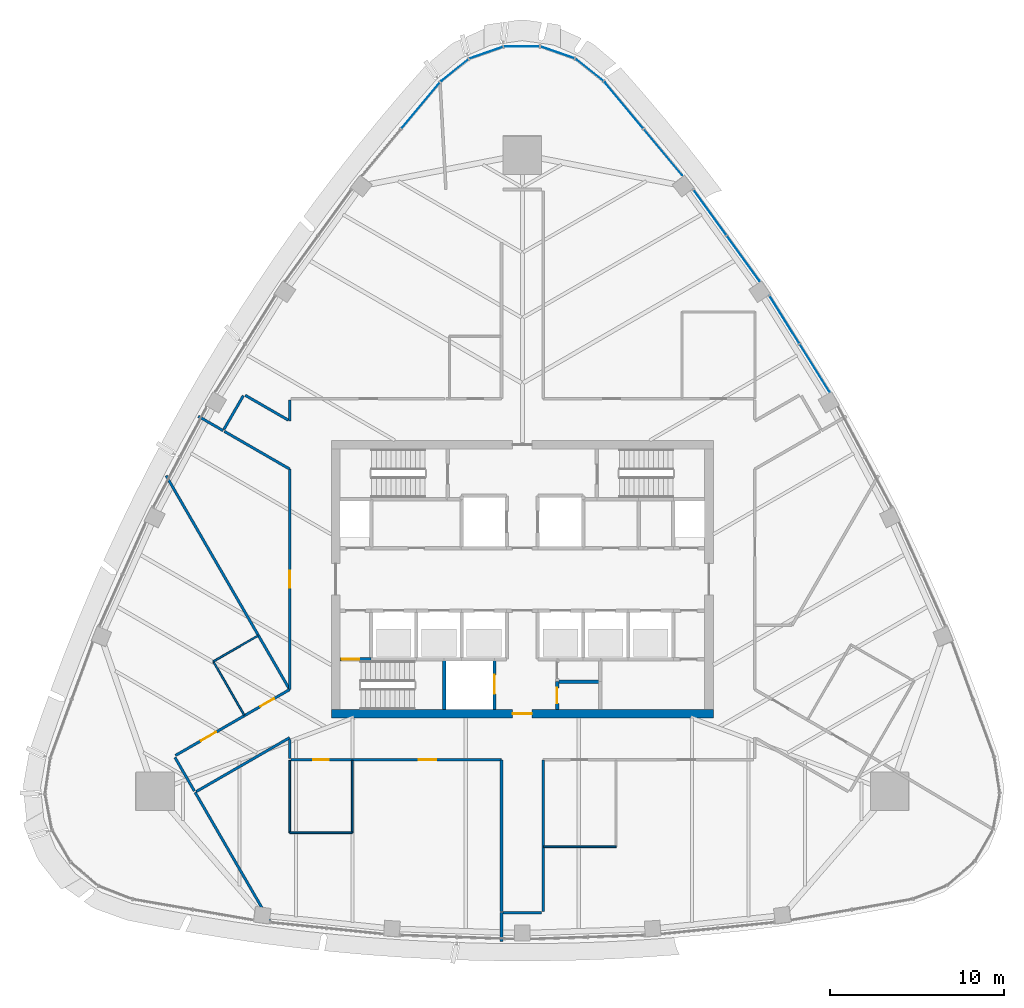
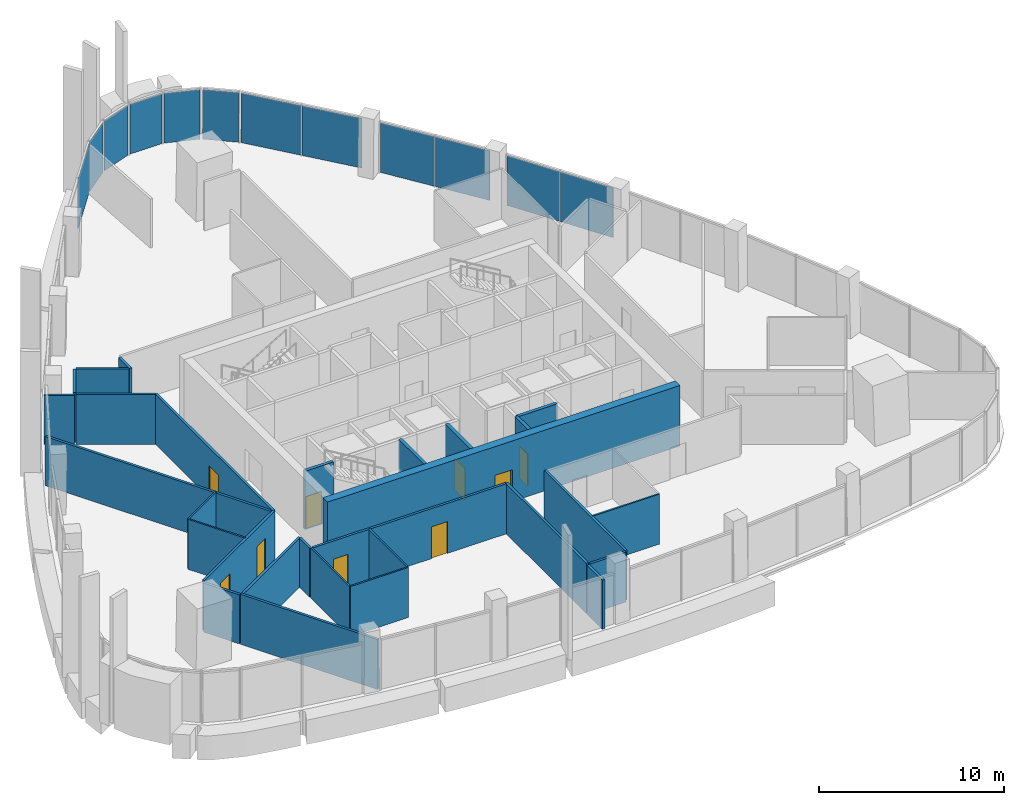
# One storey, part 8 of 16: 29 walls, 12 plates, 9 doors, 9 openings, 9 elements without a shape of their own.
"""IFC4 building model written with IfcOpenShell, lengths in metres."""

import ifcopenshell
import ifcopenshell.guid

model = None  # the IFC model being written
_history = None  # IfcOwnerHistory: only IFC2X3 demands one
_inside = {}  # id of a spatial element -> (the spatial element, [elements in it])
_under = {}  # id of a project, library or spatial element -> (it, [spatial elements below it])
_declared = {}  # id of a project -> (the project, [libraries it declares])
_typed = {}  # id of a type object -> (the type object, [elements of that type])
_made_of = {}  # id of a material, layer set ... -> (it, [elements and type objects made of it])


def new_model(schema):
    """Start an empty IFC model of exactly this schema.

    Asked for "IFC4X3", IfcOpenShell would pick the latest addendum, in which some entities
    have other attributes; the version numbers below select the first issue.
    IFC2X3 requires an IfcOwnerHistory on every rooted entity: one is made here for all.
    """
    global model, _history
    if schema == "IFC4X3":
        model = ifcopenshell.file(schema_version=(4, 3, 0, 0))
    else:
        model = ifcopenshell.file(schema=schema)
    _inside.clear()
    _under.clear()
    _declared.clear()
    _typed.clear()
    _made_of.clear()
    _history = None
    if model.schema == "IFC2X3":
        org = make("IfcOrganization", Name="unknown")
        user = make(
            "IfcPersonAndOrganization",
            ThePerson=make("IfcPerson", FamilyName="unknown"),
            TheOrganization=org,
        )
        app = make(
            "IfcApplication",
            ApplicationDeveloper=org,
            Version="unknown",
            ApplicationFullName="unknown",
            ApplicationIdentifier="unknown",
        )
        _history = make(
            "IfcOwnerHistory",
            OwningUser=user,
            OwningApplication=app,
            ChangeAction="ADDED",
            CreationDate=0,
        )
    return model


def make(cls, **values):
    """One entity of the class cls with the attributes given. An attribute that is None is left unset."""
    return model.create_entity(
        cls, **{name: value for name, value in values.items() if value is not None}
    )


def rooted(cls, **values):
    """An entity with a GlobalId (a new one), such as an element, a storey or a relation."""
    return make(cls, GlobalId=ifcopenshell.guid.new(), OwnerHistory=_history, **values)


def si_unit(unit_type, name, prefix=None):
    """IfcSIUnit, for example si_unit("LENGTHUNIT", "METRE", prefix="MILLI")."""
    return make("IfcSIUnit", UnitType=unit_type, Prefix=prefix, Name=name)


def assignment(units):
    """IfcUnitAssignment: the units of a project."""
    return None if units is None else make("IfcUnitAssignment", Units=units)


def point(xyz):
    """IfcCartesianPoint."""
    return None if xyz is None else make("IfcCartesianPoint", Coordinates=xyz)


def direction(xyz):
    """IfcDirection."""
    return None if xyz is None else make("IfcDirection", DirectionRatios=xyz)


def frame(location, z_axis=None, x_axis=None):
    """IfcAxis2Placement3D, a coordinate frame: its origin and axes. An axis left out is left unset."""
    return make(
        "IfcAxis2Placement3D",
        Location=point(location),
        Axis=direction(z_axis),
        RefDirection=direction(x_axis),
    )


def frame_2d(location, x_axis=None):
    """IfcAxis2Placement2D, a coordinate frame in the plane: its origin and x axis."""
    return make(
        "IfcAxis2Placement2D", Location=point(location), RefDirection=direction(x_axis)
    )


def origin():
    """The frame at (0, 0, 0) with its axes left unset."""
    return frame((0.0, 0.0, 0.0))


def origin_2d():
    """The frame at (0, 0) in the plane with its x axis left unset."""
    return frame_2d((0.0, 0.0))


def place(relative_to, where):
    """IfcLocalPlacement: puts the frame where relative to a parent placement (None: the world)."""
    return make(
        "IfcLocalPlacement", PlacementRelTo=relative_to, RelativePlacement=where
    )


def context(
    kind, dimensions, precision=None, world=None, true_north=None, identifier=None
):
    """IfcGeometricRepresentationContext, for example the 3D "Model" context."""
    return make(
        "IfcGeometricRepresentationContext",
        ContextIdentifier=identifier,
        ContextType=kind,
        CoordinateSpaceDimension=dimensions,
        Precision=precision,
        WorldCoordinateSystem=world,
        TrueNorth=true_north,
    )


def subcontext(parent, identifier, kind, view, scale=None):
    """IfcGeometricRepresentationSubContext, for example "Body" below "Model"."""
    return make(
        "IfcGeometricRepresentationSubContext",
        ContextIdentifier=identifier,
        ContextType=kind,
        ParentContext=parent,
        TargetScale=scale,
        TargetView=view,
    )


def project(units=None, contexts=None):
    """IfcProject with its units and contexts."""
    return rooted(
        "IfcProject",
        Name="project",
        RepresentationContexts=contexts,
        UnitsInContext=assignment(units),
    )


def spatial(cls, under=None, at=None, **own):
    """A site, building, storey or space (cls), placed at a placement, below another one or the project."""
    s = rooted(cls, ObjectPlacement=at, **own)
    if under is not None:
        _under.setdefault(under.id(), (under, []))[1].append(s)
    return s


def profile(cls, at=None, kind="AREA", **sizes):
    """A parametric profile (cls). Its sizes go by their IFC names, for example OverallWidth=200.0."""
    return make(cls, ProfileType=kind, Position=at, **sizes)


def rectangle(**sizes):
    """IfcRectangleProfileDef."""
    return profile("IfcRectangleProfileDef", **sizes)


def extrude(swept, where, along, depth):
    """IfcExtrudedAreaSolid: the profile swept, set in the frame where, extruded along a direction by depth."""
    return make(
        "IfcExtrudedAreaSolid",
        SweptArea=swept,
        Position=where,
        ExtrudedDirection=direction(along),
        Depth=depth,
    )


def shape(context_of_items, identifier, shape_type, items):
    """IfcShapeRepresentation: the items that make up one representation, for example the "Body"."""
    return make(
        "IfcShapeRepresentation",
        ContextOfItems=context_of_items,
        RepresentationIdentifier=identifier,
        RepresentationType=shape_type,
        Items=items,
    )


def material(Name=None, Category=None):
    """IfcMaterial."""
    return make("IfcMaterial", Name=Name, Category=Category)


def layer(
    of_material, thickness, ventilated=None, Name=None, Category=None, Priority=None
):
    """IfcMaterialLayer: one layer of a wall or slab, of a material (None: an air gap)."""
    return make(
        "IfcMaterialLayer",
        Material=of_material,
        LayerThickness=thickness,
        IsVentilated=ventilated,
        Name=Name,
        Category=Category,
        Priority=Priority,
    )


def layer_set(layers, Name=None):
    """IfcMaterialLayerSet."""
    return make("IfcMaterialLayerSet", MaterialLayers=layers, LayerSetName=Name)


def made_of(thing, what):
    """Note that an element or type object is made of a material, layer set ...; save() writes the relation."""
    if what is not None:
        _made_of.setdefault(what.id(), (what, []))[1].append(thing)
    return thing


def type_object(cls, material=None, **own):
    """A type object (cls), such as IfcWallType, which elements share."""
    return made_of(rooted(cls, **own), material)


def element(
    cls,
    number,
    at=None,
    inside=None,
    cuts=None,
    type_object=None,
    material=None,
    context=None,
    identifier="Body",
    shape_type=None,
    held_by="IfcProductDefinitionShape",
    body=None,
    shapes=None,
    **own,
):
    """One element of the class cls, such as IfcWall. Its Tag is "e" and its number.

    at: its placement. inside: the storey or other place that contains it. cuts: it is an
    opening in that element (IfcRelVoidsElement). A single representation is given by context,
    identifier, shape_type and body (its items); several are given by shapes. held_by: the class
    of the entity that holds the representations. save() writes the other relations.
    """
    e = rooted(cls, Tag="e%d" % number, ObjectPlacement=at, **own)
    if body is not None:
        shapes = [shape(context, identifier, shape_type, body)]
    if shapes is not None:
        e.Representation = make(held_by, Representations=shapes)
    if inside is not None:
        _inside.setdefault(inside.id(), (inside, []))[1].append(e)
    if cuts is not None:
        rooted(
            "IfcRelVoidsElement", RelatingBuildingElement=cuts, RelatedOpeningElement=e
        )
    if type_object is not None:
        _typed.setdefault(type_object.id(), (type_object, []))[1].append(e)
    return made_of(e, material)


def fill(opening, filler):
    """IfcRelFillsElement: the door or window that sits in an opening."""
    return rooted(
        "IfcRelFillsElement",
        RelatingOpeningElement=opening,
        RelatedBuildingElement=filler,
    )


def aggregate(whole, parts):
    """IfcRelAggregates: a whole, such as a stair, and the parts it consists of."""
    return rooted("IfcRelAggregates", RelatingObject=whole, RelatedObjects=parts)


def save(model, path):
    """Write the relations noted so far, then the file.

    IfcRelAggregates (storeys below a building ...), IfcRelContainedInSpatialStructure (elements
    in a storey), IfcRelDefinesByType, IfcRelAssociatesMaterial and IfcRelDeclares: one each for
    every whole, place, type object, material and project.
    """
    for whole, parts in _under.values():
        aggregate(whole, parts)
    for where, things in _inside.values():
        rooted(
            "IfcRelContainedInSpatialStructure",
            RelatedElements=things,
            RelatingStructure=where,
        )
    for kind, things in _typed.values():
        rooted("IfcRelDefinesByType", RelatedObjects=things, RelatingType=kind)
    for what, things in _made_of.values():
        rooted("IfcRelAssociatesMaterial", RelatedObjects=things, RelatingMaterial=what)
    for by, libraries in _declared.values():
        rooted("IfcRelDeclares", RelatingContext=by, RelatedDefinitions=libraries)
    model.write(path)


model = new_model("IFC4")

# Units and contexts
model_context = context("Model", 3, precision=1e-05, world=origin(), true_north=direction((0.0, 1.0)))
body_context = subcontext(model_context, "Body", "Model", "MODEL_VIEW")
ifc_project = project(units=[si_unit("LENGTHUNIT", "METRE"), si_unit("AREAUNIT", "SQUARE_METRE"), si_unit("VOLUMEUNIT", "CUBIC_METRE"), si_unit("PLANEANGLEUNIT", "RADIAN"), si_unit("MASSUNIT", "GRAM", prefix="KILO")], contexts=[model_context])

# Site, building, storey
site_placement = place(None, origin())
site = spatial("IfcSite", under=ifc_project, at=site_placement, CompositionType="ELEMENT")
building_placement = place(site_placement, origin())
building = spatial("IfcBuilding", under=site, at=building_placement, Name="Sierra Prisma Convention Tower", CompositionType="ELEMENT")
storey_placement = place(building_placement, frame((0.0, 0.0, 271.0)))
storey = spatial("IfcBuildingStorey", under=building, at=storey_placement, Name="L61", CompositionType="ELEMENT", Elevation=271.0)

# Curtain wall, plates
ifc_material_1 = material(Name="Aluminium and glass curtain wall", Category="aluminium")
ifc_layer_1 = layer(ifc_material_1, 0.179931640625)
ifc_layer_set_1 = layer_set([ifc_layer_1], Name="CW-1 Plain shaft curtain wall")
curtain_wall_type = type_object("IfcCurtainWallType", Name="CW-1 Plain shaft curtain wall", PredefinedType="NOTDEFINED", material=ifc_layer_set_1)
curtain_wall_1_placement = place(storey_placement, origin())
curtain_wall_1 = element("IfcCurtainWall", 1, at=curtain_wall_1_placement, inside=storey, type_object=curtain_wall_type, Name="CW-1 NE4 L61", PredefinedType="NOTDEFINED")
ifc_material_2 = material(Name="Tinted glass bronze-grey IGU", Category="glass")
ifc_layer_2 = layer(ifc_material_2, 0.028076171875)
ifc_layer_set_2 = layer_set([ifc_layer_2], Name="CW-1 glass panel")
plate_type = type_object("IfcPlateType", Name="CW-1 glass panel", PredefinedType="CURTAIN_PANEL", material=ifc_layer_set_2)
plate_1_placement = place(storey_placement, frame((16.832763671875, 12.170654296875, 0.0), z_axis=(0.0, 0.0, 1.0), x_axis=(-0.529408657728, 0.848366944855, 0.0)))
plate_1 = element("IfcPlate", 2, at=plate_1_placement, type_object=plate_type, Name="CW-1 panel NE4.1", PredefinedType="CURTAIN_PANEL", context=body_context, shape_type="SweptSolid", body=[
    extrude(rectangle(XDim=3.2099609375, YDim=0.028076171875, at=origin_2d()), origin(), (0.0, 0.0, 1.0), 3.280029296875),
])
plate_2_placement = place(storey_placement, frame((15.09619140625, 14.953125, 0.0), z_axis=(0.0, 0.0, 1.0), x_axis=(-0.529408657728, 0.848366944855, 0.0)))
plate_2 = element("IfcPlate", 3, at=plate_2_placement, type_object=plate_type, Name="CW-1 panel NE4.2", PredefinedType="CURTAIN_PANEL", context=body_context, shape_type="SweptSolid", body=[
    extrude(rectangle(XDim=3.2099609375, YDim=0.028076171875, at=origin_2d()), origin(), (0.0, 0.0, 1.0), 3.280029296875),
])
aggregate(curtain_wall_1, [plate_1, plate_2])

curtain_wall_2_placement = place(storey_placement, origin())
curtain_wall_2 = element("IfcCurtainWall", 4, at=curtain_wall_2_placement, inside=storey, type_object=curtain_wall_type, Name="CW-1 NE5 L61", PredefinedType="NOTDEFINED")
plate_3_placement = place(storey_placement, frame((12.7236328125, 18.481201171875, 0.0), z_axis=(0.0, 0.0, 1.0), x_axis=(-0.586323251177, 0.810077184674, 0.0)))
plate_3 = element("IfcPlate", 5, at=plate_3_placement, type_object=plate_type, Name="CW-1 panel NE5.1", PredefinedType="CURTAIN_PANEL", context=body_context, shape_type="SweptSolid", body=[
    extrude(rectangle(XDim=3.19482421875, YDim=0.028076171875, at=origin_2d()), origin(), (0.0, 0.0, 1.0), 3.280029296875),
])
plate_4_placement = place(storey_placement, frame((10.809326171875, 21.125732421875, 0.0), z_axis=(0.0, 0.0, 1.0), x_axis=(-0.586323251177, 0.810077184674, 0.0)))
plate_4 = element("IfcPlate", 6, at=plate_4_placement, type_object=plate_type, Name="CW-1 panel NE5.2", PredefinedType="CURTAIN_PANEL", context=body_context, shape_type="SweptSolid", body=[
    extrude(rectangle(XDim=3.19482421875, YDim=0.028076171875, at=origin_2d()), origin(), (0.0, 0.0, 1.0), 3.280029296875),
])
aggregate(curtain_wall_2, [plate_3, plate_4])

curtain_wall_3_placement = place(storey_placement, origin())
curtain_wall_3 = element("IfcCurtainWall", 7, at=curtain_wall_3_placement, inside=storey, type_object=curtain_wall_type, Name="CW-1 NE6 L61", PredefinedType="NOTDEFINED")
plate_5_placement = place(storey_placement, frame((8.1083984375, 24.595703125, 0.0), z_axis=(0.0, 0.0, 1.0), x_axis=(-0.640478972871, 0.767975706198, 0.0)))
plate_5 = element("IfcPlate", 8, at=plate_5_placement, type_object=plate_type, Name="CW-1 panel NE6.1", PredefinedType="CURTAIN_PANEL", context=body_context, shape_type="SweptSolid", body=[
    extrude(rectangle(XDim=3.44091796875, YDim=0.028076171875, at=origin_2d()), origin(), (0.0, 0.0, 1.0), 3.280029296875),
])
plate_6_placement = place(storey_placement, frame((5.859619140625, 27.2919921875, 0.0), z_axis=(0.0, 0.0, 1.0), x_axis=(-0.640478972871, 0.767975706198, 0.0)))
plate_6 = element("IfcPlate", 9, at=plate_6_placement, type_object=plate_type, Name="CW-1 panel NE6.2", PredefinedType="CURTAIN_PANEL", context=body_context, shape_type="SweptSolid", body=[
    extrude(rectangle(XDim=3.44091796875, YDim=0.028076171875, at=origin_2d()), origin(), (0.0, 0.0, 1.0), 3.280029296875),
])
aggregate(curtain_wall_3, [plate_5, plate_6])

# Curtain wall, plate
curtain_wall_4_placement = place(storey_placement, origin())
curtain_wall_4 = element("IfcCurtainWall", 10, at=curtain_wall_4_placement, inside=storey, type_object=curtain_wall_type, Name="CW-1 N1 L61", PredefinedType="NOTDEFINED")
plate_7_placement = place(storey_placement, frame((3.88525390625, 29.326904296875, 0.0), z_axis=(0.0, 0.0, 1.0), x_axis=(-0.781895370278, 0.623409680658, 0.0)))
plate_7 = element("IfcPlate", 11, at=plate_7_placement, type_object=plate_type, Name="CW-1 panel N1.1", PredefinedType="CURTAIN_PANEL", context=body_context, shape_type="SweptSolid", body=[
    extrude(rectangle(XDim=1.9775390625, YDim=0.028076171875, at=origin_2d()), origin(), (0.0, 0.0, 1.0), 3.280029296875),
])
aggregate(curtain_wall_4, [plate_7])

curtain_wall_5_placement = place(storey_placement, origin())
curtain_wall_5 = element("IfcCurtainWall", 12, at=curtain_wall_5_placement, inside=storey, type_object=curtain_wall_type, Name="CW-1 N2 L61", PredefinedType="NOTDEFINED")
plate_8_placement = place(storey_placement, frame((2.05810546875, 30.336669921875, 0.0), z_axis=(0.0, 0.0, 1.0), x_axis=(-0.943900251686, 0.330230699461, 0.0)))
plate_8 = element("IfcPlate", 13, at=plate_8_placement, type_object=plate_type, Name="CW-1 panel N2.1", PredefinedType="CURTAIN_PANEL", context=body_context, shape_type="SweptSolid", body=[
    extrude(rectangle(XDim=1.9775390625, YDim=0.028076171875, at=origin_2d()), origin(), (0.0, 0.0, 1.0), 3.280029296875),
])
aggregate(curtain_wall_5, [plate_8])

curtain_wall_6_placement = place(storey_placement, origin())
curtain_wall_6 = element("IfcCurtainWall", 14, at=curtain_wall_6_placement, inside=storey, type_object=curtain_wall_type, Name="CW-1 N3 L61", PredefinedType="NOTDEFINED")
plate_9_placement = place(storey_placement, frame((0.0, 30.686279296875, 0.0), z_axis=(0.0, 0.0, 1.0), x_axis=(-1.0, 0.0, 0.0)))
plate_9 = element("IfcPlate", 15, at=plate_9_placement, type_object=plate_type, Name="CW-1 panel N3.1", PredefinedType="CURTAIN_PANEL", context=body_context, shape_type="SweptSolid", body=[
    extrude(rectangle(XDim=1.9775390625, YDim=0.028076171875, at=origin_2d()), origin(), (0.0, 0.0, 1.0), 3.280029296875),
])
aggregate(curtain_wall_6, [plate_9])

curtain_wall_7_placement = place(storey_placement, origin())
curtain_wall_7 = element("IfcCurtainWall", 16, at=curtain_wall_7_placement, inside=storey, type_object=curtain_wall_type, Name="CW-1 N4 L61", PredefinedType="NOTDEFINED")
plate_10_placement = place(storey_placement, frame((-2.05810546875, 30.336669921875, 0.0), z_axis=(0.0, 0.0, 1.0), x_axis=(-0.943900251686, -0.330230699461, 0.0)))
plate_10 = element("IfcPlate", 17, at=plate_10_placement, type_object=plate_type, Name="CW-1 panel N4.1", PredefinedType="CURTAIN_PANEL", context=body_context, shape_type="SweptSolid", body=[
    extrude(rectangle(XDim=1.9775390625, YDim=0.028076171875, at=origin_2d()), origin(), (0.0, 0.0, 1.0), 3.280029296875),
])
aggregate(curtain_wall_7, [plate_10])

curtain_wall_8_placement = place(storey_placement, origin())
curtain_wall_8 = element("IfcCurtainWall", 18, at=curtain_wall_8_placement, inside=storey, type_object=curtain_wall_type, Name="CW-1 N5 L61", PredefinedType="NOTDEFINED")
plate_11_placement = place(storey_placement, frame((-3.88525390625, 29.326904296875, 0.0), z_axis=(0.0, 0.0, 1.0), x_axis=(-0.781895370278, -0.623409680658, 0.0)))
plate_11 = element("IfcPlate", 19, at=plate_11_placement, type_object=plate_type, Name="CW-1 panel N5.1", PredefinedType="CURTAIN_PANEL", context=body_context, shape_type="SweptSolid", body=[
    extrude(rectangle(XDim=1.9775390625, YDim=0.028076171875, at=origin_2d()), origin(), (0.0, 0.0, 1.0), 3.280029296875),
])
aggregate(curtain_wall_8, [plate_11])

curtain_wall_9_placement = place(storey_placement, origin())
curtain_wall_9 = element("IfcCurtainWall", 20, at=curtain_wall_9_placement, inside=storey, type_object=curtain_wall_type, Name="CW-1 NW1 L61", PredefinedType="NOTDEFINED")
plate_12_placement = place(storey_placement, frame((-5.859619140625, 27.2919921875, 0.0), z_axis=(0.0, 0.0, 1.0), x_axis=(-0.640478972871, -0.767975706198, 0.0)))
plate_12 = element("IfcPlate", 21, at=plate_12_placement, type_object=plate_type, Name="CW-1 panel NW1.1", PredefinedType="CURTAIN_PANEL", context=body_context, shape_type="SweptSolid", body=[
    extrude(rectangle(XDim=3.44091796875, YDim=0.028076171875, at=origin_2d()), origin(), (0.0, 0.0, 1.0), 3.280029296875),
])
aggregate(curtain_wall_9, [plate_12])

# Walls
ifc_material_3 = material(Name="Gypsum board partition", Category="gypsum")
ifc_layer_3 = layer(ifc_material_3, 0.10009765625)
ifc_layer_set_3 = layer_set([ifc_layer_3], Name="Bathroom partition 100")
wall_type_1 = type_object("IfcWallType", Name="Bathroom partition 100", PredefinedType="PARTITIONING", material=ifc_layer_set_3)
wall_1_placement = place(storey_placement, frame((-16.01318359375, -7.824951171875, 0.0), z_axis=(0.0, 0.0, 1.0), x_axis=(-0.499971082179, 0.866042098853, 0.0)))
element("IfcWall", 22, at=wall_1_placement, inside=storey, type_object=wall_type_1, Name="Partition L61 bath 1", PredefinedType="PARTITIONING", context=body_context, shape_type="SweptSolid", body=[
    extrude(rectangle(XDim=3.570068359375, YDim=0.10009765625, at=frame_2d((1.78515625, 0.0))), origin(), (0.0, 0.0, 1.0), 3.300048828125),
])
wall_2_placement = place(storey_placement, frame((-17.798095703125, -4.733154296875, 0.0), z_axis=(0.0, 0.0, 1.0), x_axis=(0.866039111053, 0.499976257563, 0.0)))
element("IfcWall", 23, at=wall_2_placement, inside=storey, type_object=wall_type_1, Name="Partition L61 bath 2", PredefinedType="PARTITIONING", context=body_context, shape_type="SweptSolid", body=[
    extrude(rectangle(XDim=2.969970703125, YDim=0.10009765625, at=frame_2d((1.48486328125, 0.0))), origin(), (0.0, 0.0, 1.0), 3.300048828125),
])
wall_3_placement = place(storey_placement, frame((-9.800048828125, -10.429931640625, 0.0), z_axis=(0.0, 0.0, 1.0), x_axis=(0.0, -1.0, 0.0)))
element("IfcWall", 24, at=wall_3_placement, inside=storey, type_object=wall_type_1, Name="Partition L61 bath 3", PredefinedType="PARTITIONING", context=body_context, shape_type="SweptSolid", body=[
    extrude(rectangle(XDim=4.170166015625, YDim=0.10009765625, at=frame_2d((2.0849609375, 0.0))), origin(), (0.0, 0.0, 1.0), 3.300048828125),
])
wall_4_placement = place(storey_placement, frame((-9.800048828125, -14.60009765625, 0.0), z_axis=(0.0, 0.0, 1.0), x_axis=(-1.0, 0.0, 0.0)))
element("IfcWall", 25, at=wall_4_placement, inside=storey, type_object=wall_type_1, Name="Partition L61 bath 4", PredefinedType="PARTITIONING", context=body_context, shape_type="SweptSolid", body=[
    extrude(rectangle(XDim=3.599853515625, YDim=0.10009765625, at=frame_2d((1.7998046875, 0.0))), origin(), (0.0, 0.0, 1.0), 3.300048828125),
])
wall_5_placement = place(storey_placement, frame((-13.39990234375, -14.60009765625, 0.0), z_axis=(0.0, 0.0, 1.0), x_axis=(0.0, 1.0, 0.0)))
element("IfcWall", 26, at=wall_5_placement, inside=storey, type_object=wall_type_1, Name="Partition L61 bath 5", PredefinedType="PARTITIONING", context=body_context, shape_type="SweptSolid", body=[
    extrude(rectangle(XDim=4.170166015625, YDim=0.10009765625, at=frame_2d((2.0849609375, 0.0))), origin(), (0.0, 0.0, 1.0), 3.300048828125),
])
wall_6_placement = place(storey_placement, frame((5.39990234375, -15.39990234375, 0.0), z_axis=(0.0, 0.0, 1.0), x_axis=(-1.0, 0.0, 0.0)))
element("IfcWall", 27, at=wall_6_placement, inside=storey, type_object=wall_type_1, Name="Partition L61 bath 9", PredefinedType="PARTITIONING", context=body_context, shape_type="SweptSolid", body=[
    extrude(rectangle(XDim=4.169921875, YDim=0.10009765625, at=frame_2d((2.0849609375, 0.0))), origin(), (0.0, 0.0, 1.0), 3.300048828125),
])

# Wall, opening, door
ifc_material_4 = material(Name="Concrete C30/37", Category="concrete")
ifc_layer_4 = layer(ifc_material_4, 0.199951171875)
ifc_layer_set_4 = layer_set([ifc_layer_4], Name="Core wall RC 200 C30/37")
wall_type_2 = type_object("IfcWallType", Name="Core wall RC 200 C30/37", PredefinedType="SOLIDWALL", material=ifc_layer_set_4)
wall_7_placement = place(storey_placement, frame((-10.5, -4.60009765625, 0.0), z_axis=(0.0, 0.0, 1.0), x_axis=(1.0, 0.0, 0.0)))
wall_7 = element("IfcWall", 28, at=wall_7_placement, inside=storey, type_object=wall_type_2, Name="Core wall L61 1", PredefinedType="SOLIDWALL", context=body_context, shape_type="SweptSolid", body=[
    extrude(rectangle(XDim=1.800048828125, YDim=0.199951171875, at=frame_2d((0.89990234375, 0.0))), origin(), (0.0, 0.0, 1.0), 3.85009765625),
])
opening_1_placement = place(wall_7_placement, frame((0.10009765625, 0.0, 0.0)))
opening_1 = element("IfcOpeningElement", 29, at=opening_1_placement, cuts=wall_7, Name="Opening L61-D015", PredefinedType="OPENING", context=body_context, shape_type="SweptSolid", body=[
    extrude(rectangle(XDim=1.0, YDim=2.10009765625, at=frame_2d((0.5, 1.050048828125))), frame((0.0, 0.10009765625, 0.0), z_axis=(0.0, -1.0, 0.0), x_axis=(1.0, 0.0, 0.0)), (0.0, 0.0, 1.0), 0.199951171875),
])
ifc_material_5 = material(Name="Steel fire door leaf", Category="steel")
door_type_1 = type_object("IfcDoorType", Name="Door 1000x2100 FD90S", OperationType="SINGLE_SWING_LEFT", PredefinedType="DOOR", material=ifc_material_5)
door_1_placement = place(opening_1_placement, origin())
door_1 = element("IfcDoor", 30, at=door_1_placement, inside=storey, type_object=door_type_1, Name="Door L61 29", OperationType="SINGLE_SWING_LEFT", OverallHeight=2.10009765625, OverallWidth=1.0, PredefinedType="DOOR", context=body_context, shape_type="SweptSolid", body=[
    extrude(rectangle(XDim=1.0, YDim=2.10009765625, at=frame_2d((0.5, 1.050048828125))), frame((0.0, 0.02490234375, 0.0), z_axis=(0.0, -1.0, 0.0), x_axis=(1.0, 0.0, 0.0)), (0.0, 0.0, 1.0), 0.050048828125),
])
fill(opening_1, door_1)

# Wall
wall_8_placement = place(storey_placement, frame((-4.5, -4.60009765625, 0.0), z_axis=(0.0, 0.0, 1.0), x_axis=(0.0, -1.0, 0.0)))
element("IfcWall", 31, at=wall_8_placement, inside=storey, type_object=wall_type_2, Name="Core wall L61 14", PredefinedType="SOLIDWALL", context=body_context, shape_type="SweptSolid", body=[
    extrude(rectangle(XDim=2.89990234375, YDim=0.199951171875, at=frame_2d((1.449951171875, 0.0))), origin(), (0.0, 0.0, 1.0), 3.85009765625),
])

# Wall, opening, door
wall_9_placement = place(storey_placement, frame((-1.60009765625, -7.5, 0.0), z_axis=(0.0, 0.0, 1.0), x_axis=(0.0, 1.0, 0.0)))
wall_9 = element("IfcWall", 32, at=wall_9_placement, inside=storey, type_object=wall_type_2, Name="Core wall L61 26", PredefinedType="SOLIDWALL", context=body_context, shape_type="SweptSolid", body=[
    extrude(rectangle(XDim=2.89990234375, YDim=0.199951171875, at=frame_2d((1.449951171875, 0.0))), origin(), (0.0, 0.0, 1.0), 3.85009765625),
])
opening_2_placement = place(wall_9_placement, frame((0.89990234375, 0.0, 0.0)))
opening_2 = element("IfcOpeningElement", 33, at=opening_2_placement, cuts=wall_9, Name="Opening L61-D009", PredefinedType="OPENING", context=body_context, shape_type="SweptSolid", body=[
    extrude(rectangle(XDim=1.10009765625, YDim=2.10009765625, at=frame_2d((0.550048828125, 1.050048828125))), frame((0.0, 0.10009765625, 0.0), z_axis=(0.0, -1.0, 0.0), x_axis=(1.0, 0.0, 0.0)), (0.0, 0.0, 1.0), 0.199951171875),
])
ifc_material_6 = material(Name="Steel fire door leaf", Category="steel")
door_type_2 = type_object("IfcDoorType", Name="Door 1100x2100 EI 90 sliding lift landing", OperationType="SLIDING_TO_LEFT", PredefinedType="DOOR", material=ifc_material_6)
door_2_placement = place(opening_2_placement, origin())
door_2 = element("IfcDoor", 34, at=door_2_placement, inside=storey, type_object=door_type_2, Name="Door L61 23", OperationType="SLIDING_TO_LEFT", OverallHeight=2.10009765625, OverallWidth=1.10009765625, PredefinedType="DOOR", context=body_context, shape_type="SweptSolid", body=[
    extrude(rectangle(XDim=1.10009765625, YDim=2.10009765625, at=frame_2d((0.550048828125, 1.050048828125))), frame((0.0, 0.02490234375, 0.0), z_axis=(0.0, -1.0, 0.0), x_axis=(1.0, 0.0, 0.0)), (0.0, 0.0, 1.0), 0.050048828125),
])
fill(opening_2, door_2)

wall_10_placement = place(storey_placement, frame((2.0, -5.89990234375, 0.0), z_axis=(0.0, 0.0, 1.0), x_axis=(0.0, -1.0, 0.0)))
wall_10 = element("IfcWall", 35, at=wall_10_placement, inside=storey, type_object=wall_type_2, Name="Core wall L61 38", PredefinedType="SOLIDWALL", context=body_context, shape_type="SweptSolid", body=[
    extrude(rectangle(XDim=1.60009765625, YDim=0.199951171875, at=frame_2d((0.800048828125, 0.0))), origin(), (0.0, 0.0, 1.0), 3.85009765625),
])
opening_3_placement = place(wall_10_placement, frame((0.35009765625, 0.0, 0.0)))
opening_3 = element("IfcOpeningElement", 36, at=opening_3_placement, cuts=wall_10, Name="Opening L61-D023", PredefinedType="OPENING", context=body_context, shape_type="SweptSolid", body=[
    extrude(rectangle(XDim=0.89990234375, YDim=2.10009765625, at=frame_2d((0.449951171875, 1.050048828125))), frame((0.0, 0.10009765625, 0.0), z_axis=(0.0, -1.0, 0.0), x_axis=(1.0, 0.0, 0.0)), (0.0, 0.0, 1.0), 0.199951171875),
])
ifc_material_7 = material(Name="Steel fire door leaf", Category="steel")
door_type_3 = type_object("IfcDoorType", Name="Door 900x2100 FD30S", OperationType="SINGLE_SWING_LEFT", PredefinedType="DOOR", material=ifc_material_7)
door_3_placement = place(opening_3_placement, origin())
door_3 = element("IfcDoor", 37, at=door_3_placement, inside=storey, type_object=door_type_3, Name="Door L61 37", OperationType="SINGLE_SWING_LEFT", OverallHeight=2.10009765625, OverallWidth=0.89990234375, PredefinedType="DOOR", context=body_context, shape_type="SweptSolid", body=[
    extrude(rectangle(XDim=0.89990234375, YDim=2.10009765625, at=frame_2d((0.449951171875, 1.050048828125))), frame((0.0, 0.02490234375, 0.0), z_axis=(0.0, -1.0, 0.0), x_axis=(1.0, 0.0, 0.0)), (0.0, 0.0, 1.0), 0.050048828125),
])
fill(opening_3, door_3)

# Wall
wall_11_placement = place(storey_placement, frame((4.5, -5.89990234375, 0.0), z_axis=(0.0, 0.0, 1.0), x_axis=(-1.0, 0.0, 0.0)))
element("IfcWall", 38, at=wall_11_placement, inside=storey, type_object=wall_type_2, Name="Core wall L61 39", PredefinedType="SOLIDWALL", context=body_context, shape_type="SweptSolid", body=[
    extrude(rectangle(XDim=2.5, YDim=0.199951171875, at=frame_2d((1.25, 0.0))), origin(), (0.0, 0.0, 1.0), 3.85009765625),
])

# Wall, opening, door
ifc_material_8 = material(Name="Concrete C50/60", Category="concrete")
ifc_layer_5 = layer(ifc_material_8, 0.5)
ifc_layer_set_5 = layer_set([ifc_layer_5], Name="Core wall RC 500 C50/60")
wall_type_3 = type_object("IfcWallType", Name="Core wall RC 500 C50/60", PredefinedType="SHEAR", material=ifc_layer_set_5)
wall_12_placement = place(storey_placement, frame((-11.0, -7.75, 0.0), z_axis=(0.0, 0.0, 1.0), x_axis=(1.0, 0.0, 0.0)))
wall_12 = element("IfcWall", 39, at=wall_12_placement, inside=storey, type_object=wall_type_3, Name="Core wall S L61", PredefinedType="SHEAR", context=body_context, shape_type="SweptSolid", body=[
    extrude(rectangle(XDim=22.0, YDim=0.5, at=frame_2d((11.0, 0.0))), origin(), (0.0, 0.0, 1.0), 4.0),
])
opening_4_placement = place(wall_12_placement, frame((10.449951171875, 0.0, 0.0)))
opening_4 = element("IfcOpeningElement", 40, at=opening_4_placement, cuts=wall_12, Name="Opening L61-D041", PredefinedType="OPENING", context=body_context, shape_type="SweptSolid", body=[
    extrude(rectangle(XDim=1.10009765625, YDim=2.10009765625, at=frame_2d((0.550048828125, 1.050048828125))), frame((0.0, 0.25, 0.0), z_axis=(0.0, -1.0, 0.0), x_axis=(1.0, 0.0, 0.0)), (0.0, 0.0, 1.0), 0.5),
])
ifc_material_9 = material(Name="Steel fire door leaf", Category="steel")
door_type_4 = type_object("IfcDoorType", Name="Door 1100x2100 FD30S", OperationType="SINGLE_SWING_LEFT", PredefinedType="DOOR", material=ifc_material_9)
door_4_placement = place(opening_4_placement, origin())
door_4 = element("IfcDoor", 41, at=door_4_placement, inside=storey, type_object=door_type_4, Name="Door L61 42", OperationType="SINGLE_SWING_LEFT", OverallHeight=2.10009765625, OverallWidth=1.10009765625, PredefinedType="DOOR", context=body_context, shape_type="SweptSolid", body=[
    extrude(rectangle(XDim=1.10009765625, YDim=2.10009765625, at=frame_2d((0.550048828125, 1.050048828125))), frame((0.0, 0.02490234375, 0.0), z_axis=(0.0, -1.0, 0.0), x_axis=(1.0, 0.0, 0.0)), (0.0, 0.0, 1.0), 0.050048828125),
])
fill(opening_4, door_4)

# Wall
ifc_material_10 = material(Name="Gypsum board partition", Category="gypsum")
ifc_layer_6 = layer(ifc_material_10, 0.14990234375)
ifc_layer_set_6 = layer_set([ifc_layer_6], Name="Corridor wall 150 gypsum EI 60")
wall_type_4 = type_object("IfcWallType", Name="Corridor wall 150 gypsum EI 60", PredefinedType="PARTITIONING", material=ifc_layer_set_6)
wall_13_placement = place(storey_placement, frame((-20.005859375, -10.257080078125, 0.0), z_axis=(0.0, 0.0, 1.0), x_axis=(0.500030632641, -0.866007717299, 0.0)))
element("IfcWall", 42, at=wall_13_placement, inside=storey, type_object=wall_type_4, Name="Partition L61 corr 1", PredefinedType="PARTITIONING", context=body_context, shape_type="SweptSolid", body=[
    extrude(rectangle(XDim=2.239990234375, YDim=0.14990234375, at=frame_2d((1.1201171875, 0.0))), origin(), (0.0, 0.0, 1.0), 3.23291015625),
])

# Wall, openings, doors
wall_14_placement = place(storey_placement, frame((-13.39990234375, -6.350830078125, 0.0), z_axis=(0.0, 0.0, 1.0), x_axis=(-0.866034613097, -0.499984048663, 0.0)))
wall_14 = element("IfcWall", 43, at=wall_14_placement, inside=storey, type_object=wall_type_4, Name="Partition L61 corr 2", PredefinedType="PARTITIONING", context=body_context, shape_type="SweptSolid", body=[
    extrude(rectangle(XDim=7.593994140625, YDim=0.14990234375, at=frame_2d((3.796875, 0.0))), origin(), (0.0, 0.0, 1.0), 3.300048828125),
])
opening_5_placement = place(wall_14_placement, frame((1.050048828125, 0.0, 0.0)))
opening_5 = element("IfcOpeningElement", 44, at=opening_5_placement, cuts=wall_14, Name="Opening L61-D031", PredefinedType="OPENING", context=body_context, shape_type="SweptSolid", body=[
    extrude(rectangle(XDim=0.89990234375, YDim=2.10009765625, at=frame_2d((0.449951171875, 1.050048828125))), frame((0.0, 0.074951171875, 0.0), z_axis=(0.0, -1.0, 0.0), x_axis=(1.0, 0.0, 0.0)), (0.0, 0.0, 1.0), 0.14990234375),
])
opening_6_placement = place(wall_14_placement, frame((4.886962890625, 0.0, 0.0)))
opening_6 = element("IfcOpeningElement", 45, at=opening_6_placement, cuts=wall_14, Name="Opening L61-D032", PredefinedType="OPENING", context=body_context, shape_type="SweptSolid", body=[
    extrude(rectangle(XDim=1.0, YDim=2.10009765625, at=frame_2d((0.5, 1.050048828125))), frame((0.0, 0.074951171875, 0.0), z_axis=(0.0, -1.0, 0.0), x_axis=(1.0, 0.0, 0.0)), (0.0, 0.0, 1.0), 0.14990234375),
])
ifc_material_11 = material(Name="Steel fire door leaf", Category="steel")
door_type_5 = type_object("IfcDoorType", Name="Door 1000x2100 FD30S", OperationType="SINGLE_SWING_LEFT", PredefinedType="DOOR", material=ifc_material_11)
door_5_placement = place(opening_6_placement, origin())
door_5 = element("IfcDoor", 46, at=door_5_placement, inside=storey, type_object=door_type_5, Name="Door L61 8", OperationType="SINGLE_SWING_LEFT", OverallHeight=2.10009765625, OverallWidth=1.0, PredefinedType="DOOR", context=body_context, shape_type="SweptSolid", body=[
    extrude(rectangle(XDim=1.0, YDim=2.10009765625, at=frame_2d((0.5, 1.050048828125))), frame((0.0, 0.02490234375, 0.0), z_axis=(0.0, -1.0, 0.0), x_axis=(1.0, 0.0, 0.0)), (0.0, 0.0, 1.0), 0.050048828125),
])
fill(opening_6, door_5)
door_6_placement = place(opening_5_placement, origin())
door_6 = element("IfcDoor", 47, at=door_6_placement, inside=storey, type_object=door_type_3, Name="Door L61 7", OperationType="SINGLE_SWING_RIGHT", OverallHeight=2.10009765625, OverallWidth=0.89990234375, PredefinedType="DOOR", context=body_context, shape_type="SweptSolid", body=[
    extrude(rectangle(XDim=0.89990234375, YDim=2.10009765625, at=frame_2d((0.449951171875, 1.050048828125))), frame((0.0, 0.02490234375, 0.0), z_axis=(0.0, -1.0, 0.0), x_axis=(1.0, 0.0, 0.0)), (0.0, 0.0, 1.0), 0.050048828125),
])
fill(opening_5, door_6)

# Walls
wall_15_placement = place(storey_placement, frame((-18.776611328125, -12.226318359375, 0.0), z_axis=(0.0, 0.0, 1.0), x_axis=(0.866025148001, 0.500000443029, 0.0)))
element("IfcWall", 48, at=wall_15_placement, inside=storey, type_object=wall_type_4, Name="Partition L61 corr 3", PredefinedType="PARTITIONING", context=body_context, shape_type="SweptSolid", body=[
    extrude(rectangle(XDim=6.20849609375, YDim=0.14990234375, at=frame_2d((3.104248046875, 0.0))), origin(), (0.0, 0.0, 1.0), 3.23291015625),
])
wall_16_placement = place(storey_placement, frame((-13.39990234375, -9.213623046875, 0.0), z_axis=(0.0, 0.0, 1.0), x_axis=(0.0, -1.0, 0.0)))
element("IfcWall", 49, at=wall_16_placement, inside=storey, type_object=wall_type_4, Name="Partition L61 corr 4", PredefinedType="PARTITIONING", context=body_context, shape_type="SweptSolid", body=[
    extrude(rectangle(XDim=1.1064453125, YDim=0.14990234375, at=frame_2d((0.55322265625, 0.0))), origin(), (0.0, 0.0, 1.0), 3.23291015625),
])
wall_17_placement = place(storey_placement, frame((-16.06884765625, 10.570556640625, 0.0), z_axis=(0.0, 0.0, 1.0), x_axis=(-0.49994888933, -0.866054910533, 0.0)))
element("IfcWall", 50, at=wall_17_placement, inside=storey, type_object=wall_type_4, Name="Partition L61 corr 5", PredefinedType="PARTITIONING", context=body_context, shape_type="SweptSolid", body=[
    extrude(rectangle(XDim=2.239990234375, YDim=0.14990234375, at=frame_2d((1.1201171875, 0.0))), origin(), (0.0, 0.0, 1.0), 3.300048828125),
])
wall_18_placement = place(storey_placement, frame((-17.159423828125, 8.521484375, 0.0), z_axis=(0.0, 0.0, 1.0), x_axis=(0.866016071844, -0.500016163047, 0.0)))
element("IfcWall", 51, at=wall_18_placement, inside=storey, type_object=wall_type_4, Name="Partition L61 corr 6", PredefinedType="PARTITIONING", context=body_context, shape_type="SweptSolid", body=[
    extrude(rectangle(XDim=4.341064453125, YDim=0.14990234375, at=frame_2d((2.17041015625, 0.0))), origin(), (0.0, 0.0, 1.0), 3.300048828125),
])

# Wall, opening, door
wall_19_placement = place(storey_placement, frame((-13.39990234375, 6.350830078125, 0.0), z_axis=(0.0, 0.0, 1.0), x_axis=(0.0, -1.0, 0.0)))
wall_19 = element("IfcWall", 52, at=wall_19_placement, inside=storey, type_object=wall_type_4, Name="Partition L61 corr 7", PredefinedType="PARTITIONING", context=body_context, shape_type="SweptSolid", body=[
    extrude(rectangle(XDim=12.70166015625, YDim=0.14990234375, at=frame_2d((6.350830078125, 0.0))), origin(), (0.0, 0.0, 1.0), 3.300048828125),
])
opening_7_placement = place(wall_19_placement, frame((5.850830078125, 0.0, 0.0)))
opening_7 = element("IfcOpeningElement", 53, at=opening_7_placement, cuts=wall_19, Name="Opening L61-D030", PredefinedType="OPENING", context=body_context, shape_type="SweptSolid", body=[
    extrude(rectangle(XDim=1.0, YDim=2.10009765625, at=frame_2d((0.5, 1.050048828125))), frame((0.0, 0.074951171875, 0.0), z_axis=(0.0, -1.0, 0.0), x_axis=(1.0, 0.0, 0.0)), (0.0, 0.0, 1.0), 0.14990234375),
])
door_7_placement = place(opening_7_placement, origin())
door_7 = element("IfcDoor", 54, at=door_7_placement, inside=storey, type_object=door_type_5, Name="Door L61 6", OperationType="SINGLE_SWING_LEFT", OverallHeight=2.10009765625, OverallWidth=1.0, PredefinedType="DOOR", context=body_context, shape_type="SweptSolid", body=[
    extrude(rectangle(XDim=1.0, YDim=2.10009765625, at=frame_2d((0.5, 1.050048828125))), frame((0.0, 0.02490234375, 0.0), z_axis=(0.0, -1.0, 0.0), x_axis=(1.0, 0.0, 0.0)), (0.0, 0.0, 1.0), 0.050048828125),
])
fill(opening_7, door_7)

# Walls
wall_20_placement = place(storey_placement, frame((-13.39990234375, 10.320068359375, 0.0), z_axis=(0.0, 0.0, 1.0), x_axis=(0.0, -1.0, 0.0)))
element("IfcWall", 55, at=wall_20_placement, inside=storey, type_object=wall_type_4, Name="Partition L61 corr 8", PredefinedType="PARTITIONING", context=body_context, shape_type="SweptSolid", body=[
    extrude(rectangle(XDim=1.197998046875, YDim=0.14990234375, at=frame_2d((0.59912109375, 0.0))), origin(), (0.0, 0.0, 1.0), 3.300048828125),
])
wall_21_placement = place(storey_placement, frame((-13.479248046875, 9.16796875, 0.0), z_axis=(0.0, 0.0, 1.0), x_axis=(-0.866036528751, 0.499980730498, 0.0)))
element("IfcWall", 56, at=wall_21_placement, inside=storey, type_object=wall_type_4, Name="Partition L61 corr 9", PredefinedType="PARTITIONING", context=body_context, shape_type="SweptSolid", body=[
    extrude(rectangle(XDim=2.86376953125, YDim=0.14990234375, at=frame_2d((1.431884765625, 0.0))), origin(), (0.0, 0.0, 1.0), 3.300048828125),
])

# Wall, openings, doors
wall_22_placement = place(storey_placement, frame((-13.320068359375, -10.39990234375, 0.0), z_axis=(0.0, 0.0, 1.0), x_axis=(1.0, 0.0, 0.0)))
wall_22 = element("IfcWall", 57, at=wall_22_placement, inside=storey, type_object=wall_type_4, Name="Partition L61 corr 10", PredefinedType="PARTITIONING", context=body_context, shape_type="SweptSolid", body=[
    extrude(rectangle(XDim=12.1201171875, YDim=0.14990234375, at=frame_2d((6.06005859375, 0.0))), origin(), (0.0, 0.0, 1.0), 3.300048828125),
])
opening_8_placement = place(wall_22_placement, frame((1.27001953125, 0.0, 0.0)))
opening_8 = element("IfcOpeningElement", 58, at=opening_8_placement, cuts=wall_22, Name="Opening L61-D033", PredefinedType="OPENING", context=body_context, shape_type="SweptSolid", body=[
    extrude(rectangle(XDim=0.89990234375, YDim=2.10009765625, at=frame_2d((0.449951171875, 1.050048828125))), frame((0.0, 0.074951171875, 0.0), z_axis=(0.0, -1.0, 0.0), x_axis=(1.0, 0.0, 0.0)), (0.0, 0.0, 1.0), 0.14990234375),
])
opening_9_placement = place(wall_22_placement, frame((7.3701171875, 0.0, 0.0)))
opening_9 = element("IfcOpeningElement", 59, at=opening_9_placement, cuts=wall_22, Name="Opening L61-D034", PredefinedType="OPENING", context=body_context, shape_type="SweptSolid", body=[
    extrude(rectangle(XDim=1.0, YDim=2.10009765625, at=frame_2d((0.5, 1.050048828125))), frame((0.0, 0.074951171875, 0.0), z_axis=(0.0, -1.0, 0.0), x_axis=(1.0, 0.0, 0.0)), (0.0, 0.0, 1.0), 0.14990234375),
])
door_8_placement = place(opening_9_placement, origin())
door_8 = element("IfcDoor", 60, at=door_8_placement, inside=storey, type_object=door_type_5, Name="Door L61 10", OperationType="SINGLE_SWING_RIGHT", OverallHeight=2.10009765625, OverallWidth=1.0, PredefinedType="DOOR", context=body_context, shape_type="SweptSolid", body=[
    extrude(rectangle(XDim=1.0, YDim=2.10009765625, at=frame_2d((0.5, 1.050048828125))), frame((0.0, 0.02490234375, 0.0), z_axis=(0.0, -1.0, 0.0), x_axis=(1.0, 0.0, 0.0)), (0.0, 0.0, 1.0), 0.050048828125),
])
fill(opening_9, door_8)
door_9_placement = place(opening_8_placement, origin())
door_9 = element("IfcDoor", 61, at=door_9_placement, inside=storey, type_object=door_type_3, Name="Door L61 9", OperationType="SINGLE_SWING_LEFT", OverallHeight=2.10009765625, OverallWidth=0.89990234375, PredefinedType="DOOR", context=body_context, shape_type="SweptSolid", body=[
    extrude(rectangle(XDim=0.89990234375, YDim=2.10009765625, at=frame_2d((0.449951171875, 1.050048828125))), frame((0.0, 0.02490234375, 0.0), z_axis=(0.0, -1.0, 0.0), x_axis=(1.0, 0.0, 0.0)), (0.0, 0.0, 1.0), 0.050048828125),
])
fill(opening_8, door_9)

# Walls
wall_23_placement = place(storey_placement, frame((-1.199951171875, -10.39990234375, 0.0), z_axis=(0.0, 0.0, 1.0), x_axis=(0.0, -1.0, 0.0)))
element("IfcWall", 62, at=wall_23_placement, inside=storey, type_object=wall_type_4, Name="Partition L61 corr 11", PredefinedType="PARTITIONING", context=body_context, shape_type="SweptSolid", body=[
    extrude(rectangle(XDim=8.721435546875, YDim=0.14990234375, at=frame_2d((4.36083984375, 0.0))), origin(), (0.0, 0.0, 1.0), 3.300048828125),
])
wall_24_placement = place(storey_placement, frame((-1.1201171875, -19.201416015625, 0.0), z_axis=(0.0, 0.0, 1.0), x_axis=(1.0, 0.0, 0.0)))
element("IfcWall", 63, at=wall_24_placement, inside=storey, type_object=wall_type_4, Name="Partition L61 corr 15", PredefinedType="PARTITIONING", context=body_context, shape_type="SweptSolid", body=[
    extrude(rectangle(XDim=2.240234375, YDim=0.14990234375, at=frame_2d((1.1201171875, 0.0))), origin(), (0.0, 0.0, 1.0), 3.300048828125),
])
wall_25_placement = place(storey_placement, frame((1.199951171875, -19.121337890625, 0.0), z_axis=(0.0, 0.0, 1.0), x_axis=(0.0, 1.0, 0.0)))
element("IfcWall", 64, at=wall_25_placement, inside=storey, type_object=wall_type_4, Name="Partition L61 corr 17", PredefinedType="PARTITIONING", context=body_context, shape_type="SweptSolid", body=[
    extrude(rectangle(XDim=8.721435546875, YDim=0.14990234375, at=frame_2d((4.36083984375, 0.0))), origin(), (0.0, 0.0, 1.0), 3.300048828125),
])
ifc_material_12 = material(Name="Gypsum board partition", Category="gypsum")
ifc_layer_7 = layer(ifc_material_12, 0.14990234375)
ifc_layer_set_7 = layer_set([ifc_layer_7], Name="Party wall 150 gypsum")
wall_type_5 = type_object("IfcWallType", Name="Party wall 150 gypsum", PredefinedType="PARTITIONING", material=ifc_layer_set_7)
wall_26_placement = place(storey_placement, frame((-13.39990234375, -6.350830078125, 0.0), z_axis=(0.0, 0.0, 1.0), x_axis=(-0.500014181681, 0.866017215832, 0.0)))
element("IfcWall", 65, at=wall_26_placement, inside=storey, type_object=wall_type_5, Name="Partition L61 party 1", PredefinedType="PARTITIONING", context=body_context, shape_type="SweptSolid", body=[
    extrude(rectangle(XDim=14.22265625, YDim=0.14990234375, at=frame_2d((7.111328125, 0.0))), origin(), (0.0, 0.0, 1.0), 3.23388671875),
])
wall_27_placement = place(storey_placement, frame((-18.845703125, -12.266357421875, 0.0), z_axis=(0.0, 0.0, 1.0), x_axis=(0.500745947158, -0.865594302433, 0.0)))
element("IfcWall", 66, at=wall_27_placement, inside=storey, type_object=wall_type_5, Name="Partition L61 party 2", PredefinedType="PARTITIONING", context=body_context, shape_type="SweptSolid", body=[
    extrude(rectangle(XDim=8.55322265625, YDim=0.14990234375, at=frame_2d((4.276611328125, 0.0))), origin(), (0.0, 0.0, 1.0), 3.300048828125),
])
wall_28_placement = place(storey_placement, frame((-17.228759765625, 8.561279296875, 0.0), z_axis=(0.0, 0.0, 1.0), x_axis=(-0.866021116422, 0.500007425856, 0.0)))
element("IfcWall", 67, at=wall_28_placement, inside=storey, type_object=wall_type_5, Name="Partition L61 party 3", PredefinedType="PARTITIONING", context=body_context, shape_type="SweptSolid", body=[
    extrude(rectangle(XDim=1.65625, YDim=0.14990234375, at=frame_2d((0.828125, 0.0))), origin(), (0.0, 0.0, 1.0), 3.23388671875),
])
wall_29_placement = place(storey_placement, frame((-1.199951171875, -19.201416015625, 0.0), z_axis=(0.0, 0.0, 1.0), x_axis=(0.0, -1.0, 0.0)))
element("IfcWall", 68, at=wall_29_placement, inside=storey, type_object=wall_type_5, Name="Partition L61 party 5", PredefinedType="PARTITIONING", context=body_context, shape_type="SweptSolid", body=[
    extrude(rectangle(XDim=1.656005859375, YDim=0.14990234375, at=frame_2d((0.828125, 0.0))), origin(), (0.0, 0.0, 1.0), 3.23388671875),
])

save(model, "model.ifc")
